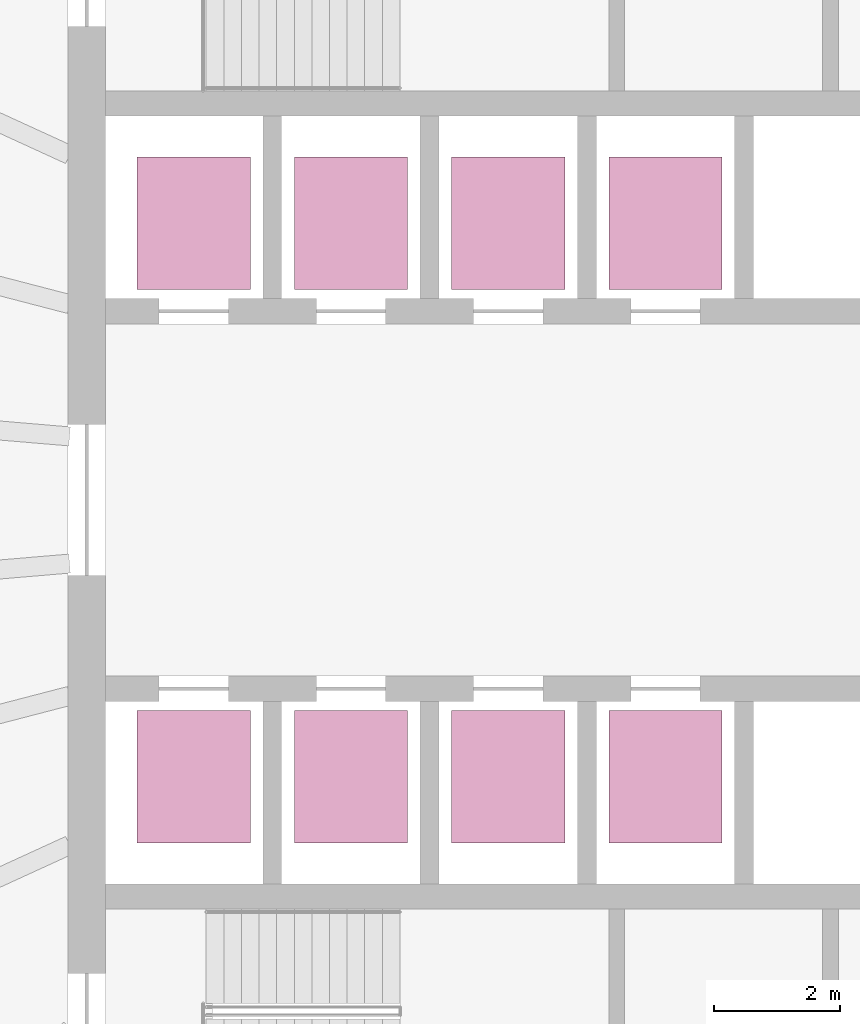
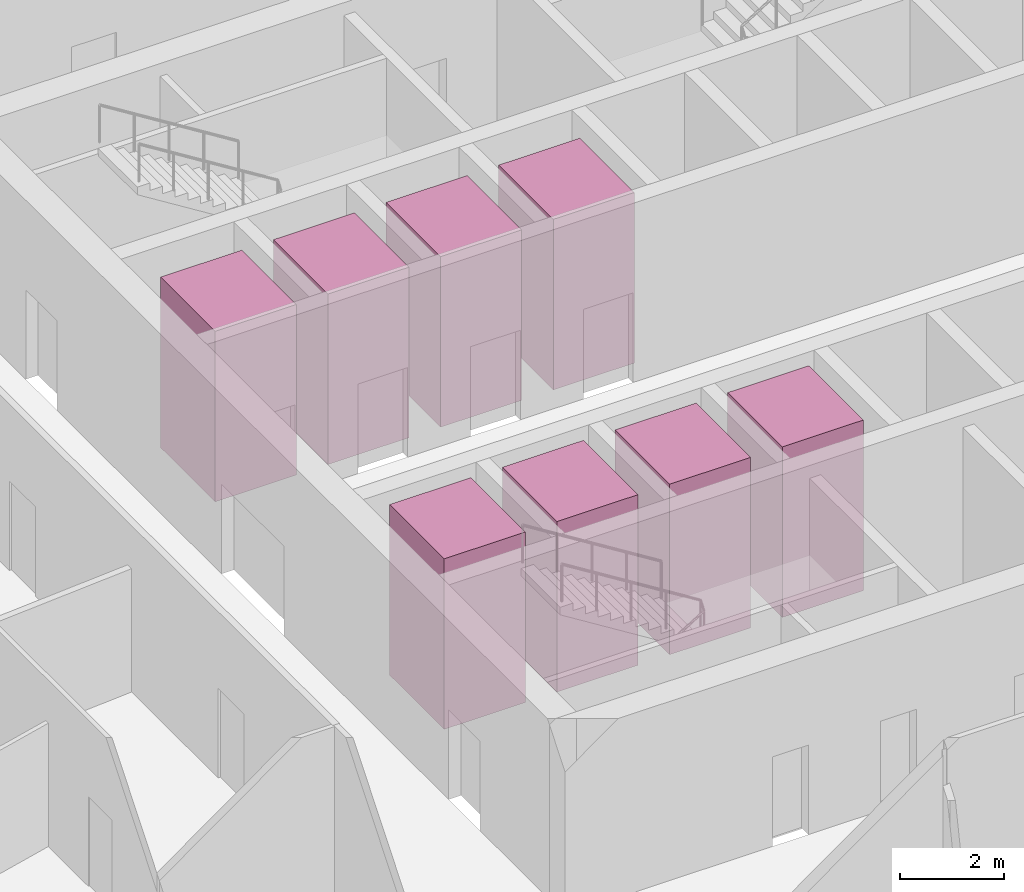
# One storey, part 12 of 12: 8 transport elements.
"""IFC4 building model written with IfcOpenShell, lengths in metres."""

from ifc_helpers import new_model, si_unit, direction, frame, origin, origin_2d, place, context, subcontext, project, spatial, rectangle, extrude, material, type_object, element, save


model = new_model("IFC4")

# Units and contexts
model_context = context("Model", 3, precision=1e-05, world=origin(), true_north=direction((0.0, 1.0)))
body_context = subcontext(model_context, "Body", "Model", "MODEL_VIEW")
ifc_project = project(units=[si_unit("LENGTHUNIT", "METRE"), si_unit("AREAUNIT", "SQUARE_METRE"), si_unit("VOLUMEUNIT", "CUBIC_METRE"), si_unit("PLANEANGLEUNIT", "RADIAN"), si_unit("MASSUNIT", "GRAM", prefix="KILO")], contexts=[model_context])

# Site, building, storey
site_placement = place(None, origin())
site = spatial("IfcSite", under=ifc_project, at=site_placement, CompositionType="ELEMENT")
building_placement = place(site_placement, origin())
building = spatial("IfcBuilding", under=site, at=building_placement, Name="Halqa Exchange Tower", CompositionType="ELEMENT")
storey_placement = place(building_placement, frame((0.0, 0.0, 31.89990234375)))
storey = spatial("IfcBuildingStorey", under=building, at=storey_placement, Name="L06", CompositionType="ELEMENT", Elevation=31.89990234375)

# Transport elements
ifc_material = material(Name="Stainless steel", Category="steel")
transport_element_type = type_object("IfcTransportElementType", Name="Low-rise passenger lift 1800 x 2100", PredefinedType="ELEVATOR", material=ifc_material)
for number, where, z_axis, x_axis, name in (
    (1, (-10.0, 4.39990234375, 0.0), (0.0, 0.0, 1.0), (1.0, 0.0, 0.0), "Low-rise passenger lift LR1"),
    (2, (-7.5, 4.39990234375, 0.0), (0.0, 0.0, 1.0), (1.0, 0.0, 0.0), "Low-rise passenger lift LR2"),
    (3, (-5.0, 4.39990234375, 0.0), (0.0, 0.0, 1.0), (1.0, 0.0, 0.0), "Low-rise passenger lift LR3"),
    (4, (-2.5, 4.39990234375, 0.0), (0.0, 0.0, 1.0), (1.0, 0.0, 0.0), "Low-rise passenger lift LR4"),
    (5, (-10.0, -4.39990234375, 0.0), (0.0, 0.0, 1.0), (1.0, 0.0, 0.0), "Low-rise passenger lift LR5"),
    (6, (-7.5, -4.39990234375, 0.0), (0.0, 0.0, 1.0), (1.0, 0.0, 0.0), "Low-rise passenger lift LR6"),
    (7, (-5.0, -4.39990234375, 0.0), (0.0, 0.0, 1.0), (1.0, 0.0, 0.0), "Low-rise passenger lift LR7"),
    (8, (-2.5, -4.39990234375, 0.0), (0.0, 0.0, 1.0), (1.0, 0.0, 0.0), "Low-rise passenger lift LR8"),
):
    element("IfcTransportElement", number, at=place(storey_placement, frame(where, z_axis=z_axis, x_axis=x_axis)), inside=storey, type_object=transport_element_type, Name=name, PredefinedType="ELEVATOR", context=body_context, shape_type="SweptSolid", body=[
        extrude(rectangle(XDim=1.800048828125, YDim=2.10009765625, at=origin_2d()), origin(), (0.0, 0.0, 1.0), 4.0),
    ])

save(model, "model.ifc")
